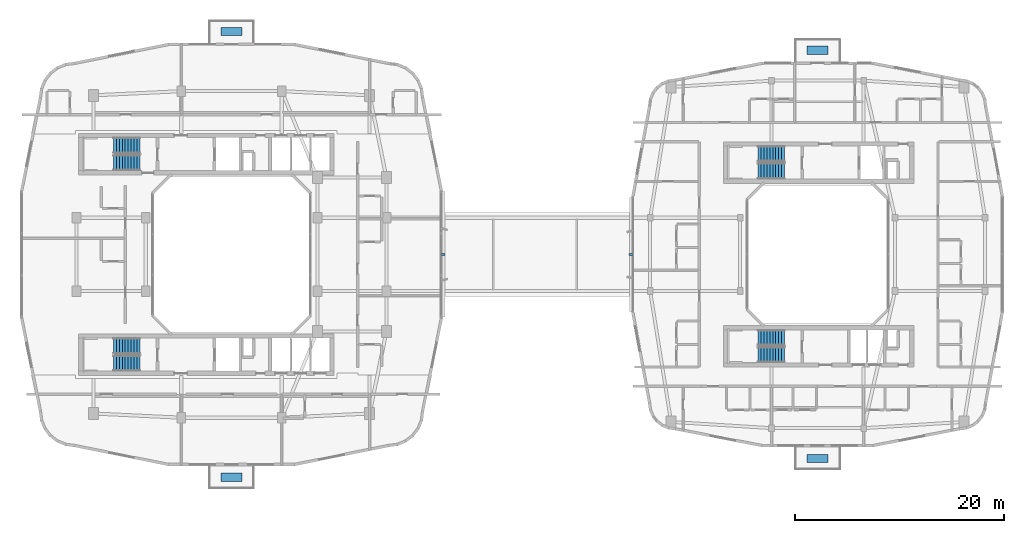
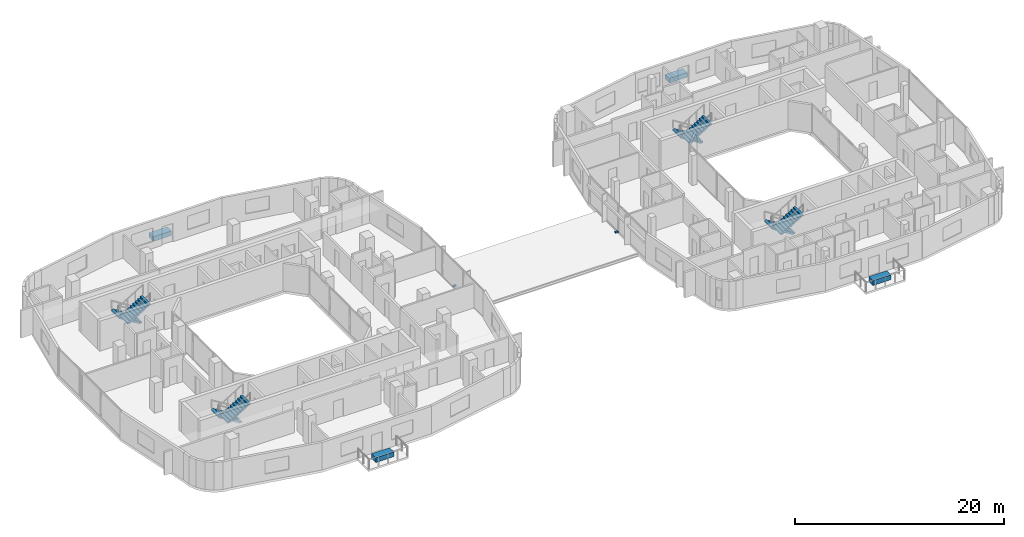
# One storey, part 17 of 22: 8 stair flights, 6 discrete accessories, 4 elements without a shape of their own.
"""IFC4 building model written with IfcOpenShell, lengths in metres."""

from ifc_helpers import new_model, si_unit, derived_unit, direction, frame, origin, origin_2d, place, context, subcontext, project, spatial, polyline, rectangle, outline, extrude, material, type_object, element, aggregate, save


model = new_model("IFC4")

# Units and contexts
model_context = context("Model", 3, precision=1e-05, world=origin(), true_north=direction((0.0, 1.0)))
body_context = subcontext(model_context, "Body", "Model", "MODEL_VIEW")
ifc_project = project(units=[si_unit("LENGTHUNIT", "METRE"), si_unit("AREAUNIT", "SQUARE_METRE"), si_unit("VOLUMEUNIT", "CUBIC_METRE"), si_unit("PLANEANGLEUNIT", "RADIAN"), si_unit("MASSUNIT", "GRAM", prefix="KILO"), derived_unit("THERMALTRANSMITTANCEUNIT", [(si_unit("POWERUNIT", "WATT"), 1), (si_unit("LENGTHUNIT", "METRE"), -2), (si_unit("THERMODYNAMICTEMPERATUREUNIT", "KELVIN"), -1)])], contexts=[model_context])

# Site, building, storey
site_placement = place(None, origin())
site = spatial("IfcSite", under=ifc_project, at=site_placement, CompositionType="ELEMENT")
building_placement = place(site_placement, origin())
building = spatial("IfcBuilding", under=site, at=building_placement, Name="Kivonza Crest Hotel", CompositionType="ELEMENT")
storey_placement = place(building_placement, frame((0.0, 0.0, 124.0)))
storey = spatial("IfcBuildingStorey", under=building, at=storey_placement, Name="L33", CompositionType="ELEMENT", Elevation=124.0)

# Stair, stair flights
ifc_material_1 = material(Name="Concrete C40/50", Category="concrete")
stair_type = type_object("IfcStairType", Name="ST-DL-20R", PredefinedType="HALF_TURN_STAIR", material=ifc_material_1)
stair_1_placement = place(storey_placement, origin())
stair_1 = element("IfcStair", 1, at=stair_1_placement, inside=storey, type_object=stair_type, Name="L33 Protected Exit Stair ST-T1-N", PredefinedType="HALF_TURN_STAIR")
stair_flight_type = type_object("IfcStairFlightType", Name="SFL-RC-10R", PredefinedType="STRAIGHT", material=ifc_material_1)
stair_flight_1_placement = place(storey_placement, frame((12.239990234375, 35.409912109375, 0.0), z_axis=(0.0, 0.0, 1.0), x_axis=(-1.0, 0.0, 0.0)))
stair_flight_1 = element("IfcStairFlight", 2, at=stair_flight_1_placement, type_object=stair_flight_type, Name="ST-T1-N flight 1", NumberOfRisers=10, NumberOfTreads=9, PredefinedType="STRAIGHT", RiserHeight=0.175, TreadLength=0.28, context=body_context, shape_type="SweptSolid", body=[
    extrude(outline(polyline([(0.0, 0.0), (0.0, 0.175048828125), (0.280029296875, 0.175048828125), (0.280029296875, 0.35009765625), (0.56005859375, 0.35009765625), (0.56005859375, 0.52490234375), (0.840087890625, 0.52490234375), (0.840087890625, 0.699951171875), (1.1201171875, 0.699951171875), (1.1201171875, 0.875), (1.39990234375, 0.875), (1.39990234375, 1.050048828125), (1.679931640625, 1.050048828125), (1.679931640625, 1.22509765625), (1.9599609375, 1.22509765625), (1.9599609375, 1.39990234375), (2.239990234375, 1.39990234375), (2.239990234375, 1.574951171875), (2.52001953125, 1.574951171875), (2.52001953125, 1.75), (2.52001953125, 1.398193359375), (0.28271484375, 0.0), (0.0, 0.0)])), frame((0.0, 0.75, 0.0), z_axis=(0.0, -1.0, 0.0), x_axis=(1.0, 0.0, 0.0)), (0.0, 0.0, 1.0), 1.5),
])
stair_flight_2_placement = place(storey_placement, frame((9.719970703125, 33.77001953125, 1.75), z_axis=(0.0, 0.0, 1.0), x_axis=(1.0, 0.0, 0.0)))
stair_flight_2 = element("IfcStairFlight", 3, at=stair_flight_2_placement, type_object=stair_flight_type, Name="ST-T1-N flight 2", NumberOfRisers=10, NumberOfTreads=9, PredefinedType="STRAIGHT", RiserHeight=0.175, TreadLength=0.28, context=body_context, shape_type="SweptSolid", body=[
    extrude(outline(polyline([(0.0, 0.0), (0.0, 0.175048828125), (0.280029296875, 0.175048828125), (0.280029296875, 0.35009765625), (0.56005859375, 0.35009765625), (0.56005859375, 0.52490234375), (0.840087890625, 0.52490234375), (0.840087890625, 0.699951171875), (1.1201171875, 0.699951171875), (1.1201171875, 0.875), (1.39990234375, 0.875), (1.39990234375, 1.050048828125), (1.679931640625, 1.050048828125), (1.679931640625, 1.22509765625), (1.9599609375, 1.22509765625), (1.9599609375, 1.39990234375), (2.239990234375, 1.39990234375), (2.239990234375, 1.574951171875), (2.52001953125, 1.574951171875), (2.52001953125, 1.75), (2.52001953125, 1.398193359375), (0.28271484375, 0.0), (0.0, 0.0)])), frame((0.0, 0.75, 0.0), z_axis=(0.0, -1.0, 0.0), x_axis=(1.0, 0.0, 0.0)), (0.0, 0.0, 1.0), 1.5),
])
aggregate(stair_1, [stair_flight_1, stair_flight_2])

stair_2_placement = place(storey_placement, origin())
stair_2 = element("IfcStair", 4, at=stair_2_placement, inside=storey, type_object=stair_type, Name="L33 Protected Exit Stair ST-T1-S", PredefinedType="HALF_TURN_STAIR")
stair_flight_3_placement = place(storey_placement, frame((12.239990234375, 16.25, 0.0), z_axis=(0.0, 0.0, 1.0), x_axis=(-1.0, 0.0, 0.0)))
stair_flight_3 = element("IfcStairFlight", 5, at=stair_flight_3_placement, type_object=stair_flight_type, Name="ST-T1-S flight 1", NumberOfRisers=10, NumberOfTreads=9, PredefinedType="STRAIGHT", RiserHeight=0.175, TreadLength=0.28, context=body_context, shape_type="SweptSolid", body=[
    extrude(outline(polyline([(0.0, 0.0), (0.0, 0.175048828125), (0.280029296875, 0.175048828125), (0.280029296875, 0.35009765625), (0.56005859375, 0.35009765625), (0.56005859375, 0.52490234375), (0.840087890625, 0.52490234375), (0.840087890625, 0.699951171875), (1.1201171875, 0.699951171875), (1.1201171875, 0.875), (1.39990234375, 0.875), (1.39990234375, 1.050048828125), (1.679931640625, 1.050048828125), (1.679931640625, 1.22509765625), (1.9599609375, 1.22509765625), (1.9599609375, 1.39990234375), (2.239990234375, 1.39990234375), (2.239990234375, 1.574951171875), (2.52001953125, 1.574951171875), (2.52001953125, 1.75), (2.52001953125, 1.398193359375), (0.28271484375, 0.0), (0.0, 0.0)])), frame((0.0, 0.75, 0.0), z_axis=(0.0, -1.0, 0.0), x_axis=(1.0, 0.0, 0.0)), (0.0, 0.0, 1.0), 1.5),
])
stair_flight_4_placement = place(storey_placement, frame((9.719970703125, 14.610107421875, 1.75), z_axis=(0.0, 0.0, 1.0), x_axis=(1.0, 0.0, 0.0)))
stair_flight_4 = element("IfcStairFlight", 6, at=stair_flight_4_placement, type_object=stair_flight_type, Name="ST-T1-S flight 2", NumberOfRisers=10, NumberOfTreads=9, PredefinedType="STRAIGHT", RiserHeight=0.175, TreadLength=0.28, context=body_context, shape_type="SweptSolid", body=[
    extrude(outline(polyline([(0.0, 0.0), (0.0, 0.175048828125), (0.280029296875, 0.175048828125), (0.280029296875, 0.35009765625), (0.56005859375, 0.35009765625), (0.56005859375, 0.52490234375), (0.840087890625, 0.52490234375), (0.840087890625, 0.699951171875), (1.1201171875, 0.699951171875), (1.1201171875, 0.875), (1.39990234375, 0.875), (1.39990234375, 1.050048828125), (1.679931640625, 1.050048828125), (1.679931640625, 1.22509765625), (1.9599609375, 1.22509765625), (1.9599609375, 1.39990234375), (2.239990234375, 1.39990234375), (2.239990234375, 1.574951171875), (2.52001953125, 1.574951171875), (2.52001953125, 1.75), (2.52001953125, 1.398193359375), (0.28271484375, 0.0), (0.0, 0.0)])), frame((0.0, 0.75, 0.0), z_axis=(0.0, -1.0, 0.0), x_axis=(1.0, 0.0, 0.0)), (0.0, 0.0, 1.0), 1.5),
])
aggregate(stair_2, [stair_flight_3, stair_flight_4])

stair_3_placement = place(storey_placement, origin())
stair_3 = element("IfcStair", 7, at=stair_3_placement, inside=storey, type_object=stair_type, Name="L33 Protected Exit Stair ST-T2-N", PredefinedType="HALF_TURN_STAIR")
stair_flight_5_placement = place(storey_placement, frame((73.840087890625, 34.610107421875, 0.0), z_axis=(0.0, 0.0, 1.0), x_axis=(-1.0, 0.0, 0.0)))
stair_flight_5 = element("IfcStairFlight", 8, at=stair_flight_5_placement, type_object=stair_flight_type, Name="ST-T2-N flight 1", NumberOfRisers=10, NumberOfTreads=9, PredefinedType="STRAIGHT", RiserHeight=0.175, TreadLength=0.28, context=body_context, shape_type="SweptSolid", body=[
    extrude(outline(polyline([(0.0, 0.0), (0.0, 0.175048828125), (0.280029296875, 0.175048828125), (0.280029296875, 0.35009765625), (0.56005859375, 0.35009765625), (0.56005859375, 0.52490234375), (0.840087890625, 0.52490234375), (0.840087890625, 0.699951171875), (1.1201171875, 0.699951171875), (1.1201171875, 0.875), (1.39990234375, 0.875), (1.39990234375, 1.050048828125), (1.679931640625, 1.050048828125), (1.679931640625, 1.22509765625), (1.9599609375, 1.22509765625), (1.9599609375, 1.39990234375), (2.239990234375, 1.39990234375), (2.239990234375, 1.574951171875), (2.52001953125, 1.574951171875), (2.52001953125, 1.75), (2.52001953125, 1.398193359375), (0.28271484375, 0.0), (0.0, 0.0)])), frame((0.0, 0.75, 0.0), z_axis=(0.0, -1.0, 0.0), x_axis=(1.0, 0.0, 0.0)), (0.0, 0.0, 1.0), 1.5),
])
stair_flight_6_placement = place(storey_placement, frame((71.320068359375, 32.969970703125, 1.75), z_axis=(0.0, 0.0, 1.0), x_axis=(1.0, 0.0, 0.0)))
stair_flight_6 = element("IfcStairFlight", 9, at=stair_flight_6_placement, type_object=stair_flight_type, Name="ST-T2-N flight 2", NumberOfRisers=10, NumberOfTreads=9, PredefinedType="STRAIGHT", RiserHeight=0.175, TreadLength=0.28, context=body_context, shape_type="SweptSolid", body=[
    extrude(outline(polyline([(0.0, 0.0), (0.0, 0.175048828125), (0.280029296875, 0.175048828125), (0.280029296875, 0.35009765625), (0.56005859375, 0.35009765625), (0.56005859375, 0.52490234375), (0.840087890625, 0.52490234375), (0.840087890625, 0.699951171875), (1.1201171875, 0.699951171875), (1.1201171875, 0.875), (1.39990234375, 0.875), (1.39990234375, 1.050048828125), (1.679931640625, 1.050048828125), (1.679931640625, 1.22509765625), (1.9599609375, 1.22509765625), (1.9599609375, 1.39990234375), (2.239990234375, 1.39990234375), (2.239990234375, 1.574951171875), (2.52001953125, 1.574951171875), (2.52001953125, 1.75), (2.52001953125, 1.398193359375), (0.28271484375, 0.0), (0.0, 0.0)])), frame((0.0, 0.75, 0.0), z_axis=(0.0, -1.0, 0.0), x_axis=(1.0, 0.0, 0.0)), (0.0, 0.0, 1.0), 1.5),
])
aggregate(stair_3, [stair_flight_5, stair_flight_6])

stair_4_placement = place(storey_placement, origin())
stair_4 = element("IfcStair", 10, at=stair_4_placement, inside=storey, type_object=stair_type, Name="L33 Protected Exit Stair ST-T2-S", PredefinedType="HALF_TURN_STAIR")
stair_flight_7_placement = place(storey_placement, frame((73.840087890625, 17.050048828125, 0.0), z_axis=(0.0, 0.0, 1.0), x_axis=(-1.0, 0.0, 0.0)))
stair_flight_7 = element("IfcStairFlight", 11, at=stair_flight_7_placement, type_object=stair_flight_type, Name="ST-T2-S flight 1", NumberOfRisers=10, NumberOfTreads=9, PredefinedType="STRAIGHT", RiserHeight=0.175, TreadLength=0.28, context=body_context, shape_type="SweptSolid", body=[
    extrude(outline(polyline([(0.0, 0.0), (0.0, 0.175048828125), (0.280029296875, 0.175048828125), (0.280029296875, 0.35009765625), (0.56005859375, 0.35009765625), (0.56005859375, 0.52490234375), (0.840087890625, 0.52490234375), (0.840087890625, 0.699951171875), (1.1201171875, 0.699951171875), (1.1201171875, 0.875), (1.39990234375, 0.875), (1.39990234375, 1.050048828125), (1.679931640625, 1.050048828125), (1.679931640625, 1.22509765625), (1.9599609375, 1.22509765625), (1.9599609375, 1.39990234375), (2.239990234375, 1.39990234375), (2.239990234375, 1.574951171875), (2.52001953125, 1.574951171875), (2.52001953125, 1.75), (2.52001953125, 1.398193359375), (0.28271484375, 0.0), (0.0, 0.0)])), frame((0.0, 0.75, 0.0), z_axis=(0.0, -1.0, 0.0), x_axis=(1.0, 0.0, 0.0)), (0.0, 0.0, 1.0), 1.5),
])
stair_flight_8_placement = place(storey_placement, frame((71.320068359375, 15.409912109375, 1.75), z_axis=(0.0, 0.0, 1.0), x_axis=(1.0, 0.0, 0.0)))
stair_flight_8 = element("IfcStairFlight", 12, at=stair_flight_8_placement, type_object=stair_flight_type, Name="ST-T2-S flight 2", NumberOfRisers=10, NumberOfTreads=9, PredefinedType="STRAIGHT", RiserHeight=0.175, TreadLength=0.28, context=body_context, shape_type="SweptSolid", body=[
    extrude(outline(polyline([(0.0, 0.0), (0.0, 0.175048828125), (0.280029296875, 0.175048828125), (0.280029296875, 0.35009765625), (0.56005859375, 0.35009765625), (0.56005859375, 0.52490234375), (0.840087890625, 0.52490234375), (0.840087890625, 0.699951171875), (1.1201171875, 0.699951171875), (1.1201171875, 0.875), (1.39990234375, 0.875), (1.39990234375, 1.050048828125), (1.679931640625, 1.050048828125), (1.679931640625, 1.22509765625), (1.9599609375, 1.22509765625), (1.9599609375, 1.39990234375), (2.239990234375, 1.39990234375), (2.239990234375, 1.574951171875), (2.52001953125, 1.574951171875), (2.52001953125, 1.75), (2.52001953125, 1.398193359375), (0.28271484375, 0.0), (0.0, 0.0)])), frame((0.0, 0.75, 0.0), z_axis=(0.0, -1.0, 0.0), x_axis=(1.0, 0.0, 0.0)), (0.0, 0.0, 1.0), 1.5),
])
aggregate(stair_4, [stair_flight_7, stair_flight_8])

# Discrete accessories
ifc_material_2 = material(Name="Stainless steel 316", Category="steel")
discrete_accessory_type_1 = type_object("IfcDiscreteAccessoryType", Name="AC-BRACKET-240", PredefinedType="BRACKET", material=ifc_material_2)
for number, where, z_axis, x_axis, name in (
    (13, (41.239990234375, 25.0, -0.009765625), (0.0, 0.0, 1.0), (0.0, 1.0, 0.0), "L33 terracotta baguette support bracket CW-T1-L33-17"),
    (14, (59.159912109375, 25.0, -0.009765625), (0.0, 0.0, 1.0), (0.0, -1.0, 0.0), "L33 terracotta baguette support bracket CW-T2-L33-35"),
):
    element("IfcDiscreteAccessory", number, at=place(storey_placement, frame(where, z_axis=z_axis, x_axis=x_axis)), inside=storey, type_object=discrete_accessory_type_1, Name=name, PredefinedType="BRACKET", context=body_context, shape_type="SweptSolid", body=[
        extrude(rectangle(XDim=0.219970703125, YDim=0.340087890625, at=origin_2d()), origin(), (0.0, 0.0, 1.0), 0.179931640625),
    ])
ifc_material_3 = material(Name="Precast GRC planter with engineered planting soil", Category="concrete")
discrete_accessory_type_2 = type_object("IfcDiscreteAccessoryType", Name="AC-PLANTER-1800", PredefinedType="USERDEFINED", material=ifc_material_3)
for number, where, z_axis, x_axis, name in (
    (15, (21.0, 3.699951171875, 0.0), (0.0, 0.0, 1.0), (1.0, 0.0, 0.0), "T1 L33 SW sky-garden planter"),
    (16, (21.0, 46.300048828125, 0.0), (0.0, 0.0, 1.0), (1.0, 0.0, 0.0), "T1 L33 NE sky-garden planter"),
    (17, (77.0, 5.5, 0.0), (0.0, 0.0, 1.0), (1.0, 0.0, 0.0), "T2 L33 SW sky-garden planter"),
    (18, (77.0, 44.5, 0.0), (0.0, 0.0, 1.0), (1.0, 0.0, 0.0), "T2 L33 NE sky-garden planter"),
):
    element("IfcDiscreteAccessory", number, at=place(storey_placement, frame(where, z_axis=z_axis, x_axis=x_axis)), inside=storey, type_object=discrete_accessory_type_2, Name=name, ObjectType="PLANTER", PredefinedType="USERDEFINED", context=body_context, shape_type="SweptSolid", body=[
        extrude(rectangle(XDim=2.0, YDim=0.800048828125, at=origin_2d()), origin(), (0.0, 0.0, 1.0), 0.550048828125),
    ])

save(model, "model.ifc")
